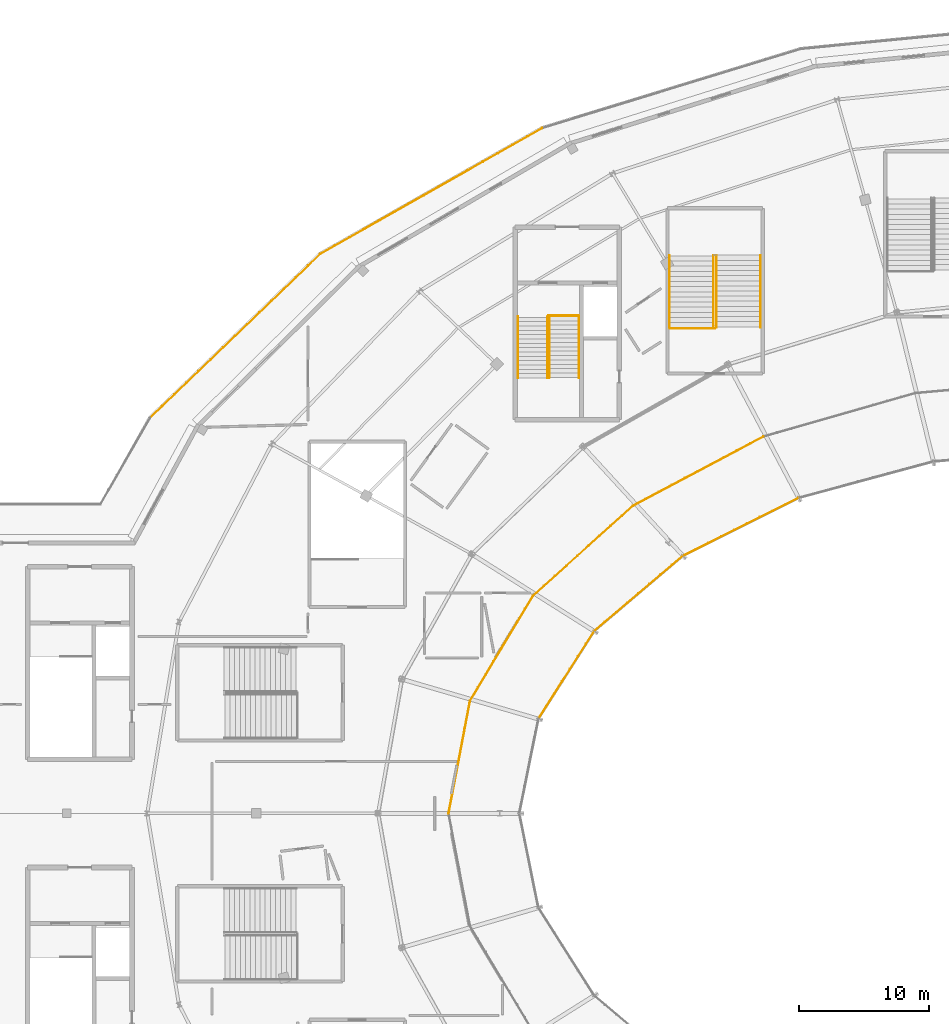
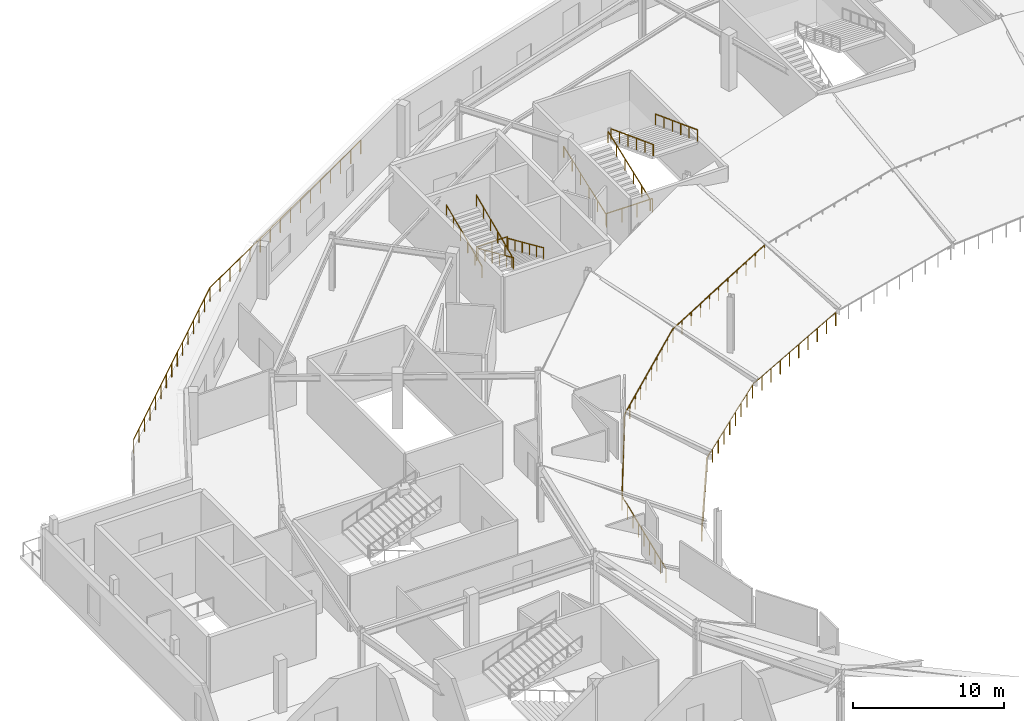
# One storey, part 54 of 63: 19 railings.
"""IFC4 building model written with IfcOpenShell, lengths in metres."""

from ifc_helpers import new_model, si_unit, direction, frame, origin, origin_2d, place, context, subcontext, project, spatial, circle, extrude, material, type_object, element, save


model = new_model("IFC4")

# Units and contexts
model_context = context("Model", 3, precision=1e-05, world=origin(), true_north=direction((0.0, 1.0)))
body_context = subcontext(model_context, "Body", "Model", "MODEL_VIEW")
ifc_project = project(units=[si_unit("LENGTHUNIT", "METRE"), si_unit("AREAUNIT", "SQUARE_METRE"), si_unit("VOLUMEUNIT", "CUBIC_METRE"), si_unit("PLANEANGLEUNIT", "RADIAN"), si_unit("MASSUNIT", "GRAM", prefix="KILO")], contexts=[model_context])

# Site, building, storey
site_placement = place(None, origin())
site = spatial("IfcSite", under=ifc_project, at=site_placement, CompositionType="ELEMENT")
building_placement = place(site_placement, origin())
building = spatial("IfcBuilding", under=site, at=building_placement, Name="Kalgoora Escarpment Arena", CompositionType="ELEMENT")
storey_placement = place(building_placement, frame((0.0, 0.0, 14.39990234375)))
storey = spatial("IfcBuildingStorey", under=building, at=storey_placement, Name="L03", CompositionType="ELEMENT", Elevation=14.39990234375)

# Railings
ifc_material_1 = material(Name="Galvanised & powdercoated tubular steel", Category="steel")
railing_type_1 = type_object("IfcRailingType", Name="RAL-GUARD-1120", PredefinedType="GUARDRAIL", material=ifc_material_1)
railing_1_placement = place(storey_placement, frame((53.889892578125, 102.389892578125, 0.0)))
element("IfcRailing", 1, at=railing_1_placement, inside=storey, type_object=railing_type_1, Name="ST03 L03 floor landing well guard", PredefinedType="GUARDRAIL", context=body_context, shape_type="SweptSolid", body=[
    extrude(circle(Radius=0.02392578125, at=origin_2d()), frame((0.0, 0.0, 1.09619140625), z_axis=(-1.0, 0.0, 0.0), x_axis=(0.0, -1.0, 0.0)), (0.0, 0.0, 1.0), 2.33984375),
    extrude(circle(Radius=0.02099609375, at=origin_2d()), origin(), (0.0, 0.0, 1.0), 1.072021484375),
    extrude(circle(Radius=0.02099609375, at=origin_2d()), frame((-1.169921875, 0.0, 0.0)), (0.0, 0.0, 1.0), 1.072021484375),
    extrude(circle(Radius=0.02099609375, at=origin_2d()), frame((-2.33984375, 0.0, 0.0)), (0.0, 0.0, 1.0), 1.072021484375),
])
railing_2_placement = place(storey_placement, frame((60.909912109375, 101.409912109375, 0.0)))
element("IfcRailing", 2, at=railing_2_placement, inside=storey, type_object=railing_type_1, Name="ST09 L03 floor landing well guard", PredefinedType="GUARDRAIL", context=body_context, shape_type="SweptSolid", body=[
    extrude(circle(Radius=0.02392578125, at=origin_2d()), frame((0.0, 0.0, 1.09619140625), z_axis=(1.0, 0.0, 0.0), x_axis=(0.0, 1.0, 0.0)), (0.0, 0.0, 1.0), 3.489990234375),
    extrude(circle(Radius=0.02099609375, at=origin_2d()), origin(), (0.0, 0.0, 1.0), 1.072021484375),
    extrude(circle(Radius=0.02099609375, at=origin_2d()), frame((1.163330078125, 0.0, 0.0)), (0.0, 0.0, 1.0), 1.072021484375),
    extrude(circle(Radius=0.02099609375, at=origin_2d()), frame((2.32666015625, 0.0, 0.0)), (0.0, 0.0, 1.0), 1.072021484375),
    extrude(circle(Radius=0.02099609375, at=origin_2d()), frame((3.489990234375, 0.0, 0.0)), (0.0, 0.0, 1.0), 1.072021484375),
])
railing_3_placement = place(storey_placement, frame((68.125, 93.05517578125, 0.0)))
element("IfcRailing", 3, at=railing_3_placement, inside=storey, type_object=railing_type_1, Name="L03 concourse bowl balustrade 09", PredefinedType="GUARDRAIL", context=body_context, shape_type="SweptSolid", body=[
    extrude(circle(Radius=0.02392578125, at=origin_2d()), frame((0.0, 0.0, 1.09619140625), z_axis=(-0.883475688989, -0.468477007936, 0.0), x_axis=(0.468477007936, -0.883475688989, 0.0)), (0.0, 0.0, 1.0), 11.381103515625),
    extrude(circle(Radius=0.02099609375, at=origin_2d()), origin(), (0.0, 0.0, 1.0), 1.072021484375),
    extrude(circle(Radius=0.02099609375, at=origin_2d()), frame((-1.00537109375, -0.533203125, 0.0)), (0.0, 0.0, 1.0), 1.072021484375),
    extrude(circle(Radius=0.02099609375, at=origin_2d()), frame((-2.010986328125, -1.06640625, 0.0)), (0.0, 0.0, 1.0), 1.072021484375),
    extrude(circle(Radius=0.02099609375, at=origin_2d()), frame((-3.0166015625, -1.599609375, 0.0)), (0.0, 0.0, 1.0), 1.072021484375),
    extrude(circle(Radius=0.02099609375, at=origin_2d()), frame((-4.02197265625, -2.1328125, 0.0)), (0.0, 0.0, 1.0), 1.072021484375),
    extrude(circle(Radius=0.02099609375, at=origin_2d()), frame((-5.02734375, -2.666015625, 0.0)), (0.0, 0.0, 1.0), 1.072021484375),
    extrude(circle(Radius=0.02099609375, at=origin_2d()), frame((-6.032958984375, -3.198974609375, 0.0)), (0.0, 0.0, 1.0), 1.072021484375),
    extrude(circle(Radius=0.02099609375, at=origin_2d()), frame((-7.038330078125, -3.732177734375, 0.0)), (0.0, 0.0, 1.0), 1.072021484375),
    extrude(circle(Radius=0.02099609375, at=origin_2d()), frame((-8.0439453125, -4.265380859375, 0.0)), (0.0, 0.0, 1.0), 1.072021484375),
    extrude(circle(Radius=0.02099609375, at=origin_2d()), frame((-9.04931640625, -4.798583984375, 0.0)), (0.0, 0.0, 1.0), 1.072021484375),
    extrude(circle(Radius=0.02099609375, at=origin_2d()), frame((-10.054931640625, -5.331787109375, 0.0)), (0.0, 0.0, 1.0), 1.072021484375),
])
railing_4_placement = place(storey_placement, frame((58.070068359375, 87.723388671875, 0.0)))
element("IfcRailing", 4, at=railing_4_placement, inside=storey, type_object=railing_type_1, Name="L03 concourse bowl balustrade 10", PredefinedType="GUARDRAIL", context=body_context, shape_type="SweptSolid", body=[
    extrude(circle(Radius=0.02392578125, at=origin_2d()), frame((0.0, 0.0, 1.09619140625), z_axis=(-0.743080153263, -0.66920242515, 0.0), x_axis=(0.66920242515, -0.743080153263, 0.0)), (0.0, 0.0, 1.0), 10.38330078125),
    extrude(circle(Radius=0.02099609375, at=origin_2d()), origin(), (0.0, 0.0, 1.0), 1.072021484375),
    extrude(circle(Radius=0.02099609375, at=origin_2d()), frame((-0.857177734375, -0.77197265625, 0.0)), (0.0, 0.0, 1.0), 1.072021484375),
    extrude(circle(Radius=0.02099609375, at=origin_2d()), frame((-1.714599609375, -1.544189453125, 0.0)), (0.0, 0.0, 1.0), 1.072021484375),
    extrude(circle(Radius=0.02099609375, at=origin_2d()), frame((-2.57177734375, -2.316162109375, 0.0)), (0.0, 0.0, 1.0), 1.072021484375),
    extrude(circle(Radius=0.02099609375, at=origin_2d()), frame((-3.42919921875, -3.088134765625, 0.0)), (0.0, 0.0, 1.0), 1.072021484375),
    extrude(circle(Radius=0.02099609375, at=origin_2d()), frame((-4.286376953125, -3.8603515625, 0.0)), (0.0, 0.0, 1.0), 1.072021484375),
    extrude(circle(Radius=0.02099609375, at=origin_2d()), frame((-5.143798828125, -4.63232421875, 0.0)), (0.0, 0.0, 1.0), 1.072021484375),
    extrude(circle(Radius=0.02099609375, at=origin_2d()), frame((-6.0009765625, -5.404296875, 0.0)), (0.0, 0.0, 1.0), 1.072021484375),
    extrude(circle(Radius=0.02099609375, at=origin_2d()), frame((-6.8583984375, -6.176513671875, 0.0)), (0.0, 0.0, 1.0), 1.072021484375),
    extrude(circle(Radius=0.02099609375, at=origin_2d()), frame((-7.715576171875, -6.948486328125, 0.0)), (0.0, 0.0, 1.0), 1.072021484375),
])
railing_5_placement = place(storey_placement, frame((50.3544921875, 80.77490234375, 0.0)))
element("IfcRailing", 5, at=railing_5_placement, inside=storey, type_object=railing_type_1, Name="L03 concourse bowl balustrade 11", PredefinedType="GUARDRAIL", context=body_context, shape_type="SweptSolid", body=[
    extrude(circle(Radius=0.02392578125, at=origin_2d()), frame((0.0, 0.0, 1.09619140625), z_axis=(-0.514118933044, -0.857718906569, 0.0), x_axis=(0.857718906569, -0.514118933044, 0.0)), (0.0, 0.0, 1.0), 9.433837890625),
    extrude(circle(Radius=0.02099609375, at=origin_2d()), origin(), (0.0, 0.0, 1.0), 1.072021484375),
    extrude(circle(Radius=0.02099609375, at=origin_2d()), frame((-0.606201171875, -1.011474609375, 0.0)), (0.0, 0.0, 1.0), 1.072021484375),
    extrude(circle(Radius=0.02099609375, at=origin_2d()), frame((-1.21240234375, -2.02294921875, 0.0)), (0.0, 0.0, 1.0), 1.072021484375),
    extrude(circle(Radius=0.02099609375, at=origin_2d()), frame((-1.81884765625, -3.034423828125, 0.0)), (0.0, 0.0, 1.0), 1.072021484375),
    extrude(circle(Radius=0.02099609375, at=origin_2d()), frame((-2.425048828125, -4.0458984375, 0.0)), (0.0, 0.0, 1.0), 1.072021484375),
    extrude(circle(Radius=0.02099609375, at=origin_2d()), frame((-3.03125, -5.05712890625, 0.0)), (0.0, 0.0, 1.0), 1.072021484375),
    extrude(circle(Radius=0.02099609375, at=origin_2d()), frame((-3.6376953125, -6.068603515625, 0.0)), (0.0, 0.0, 1.0), 1.072021484375),
    extrude(circle(Radius=0.02099609375, at=origin_2d()), frame((-4.243896484375, -7.080078125, 0.0)), (0.0, 0.0, 1.0), 1.072021484375),
    extrude(circle(Radius=0.02099609375, at=origin_2d()), frame((-4.85009765625, -8.091552734375, 0.0)), (0.0, 0.0, 1.0), 1.072021484375),
])
railing_6_placement = place(storey_placement, frame((45.50439453125, 72.683349609375, 0.0)))
element("IfcRailing", 6, at=railing_6_placement, inside=storey, type_object=railing_type_1, Name="L03 concourse bowl balustrade 12", PredefinedType="GUARDRAIL", context=body_context, shape_type="SweptSolid", body=[
    extrude(circle(Radius=0.02392578125, at=origin_2d()), frame((0.0, 0.0, 1.09619140625), z_axis=(-0.187147644058, -0.982331796962, 0.0), x_axis=(0.982331796962, -0.187147644058, 0.0)), (0.0, 0.0, 1.0), 8.839599609375),
    extrude(circle(Radius=0.02099609375, at=origin_2d()), origin(), (0.0, 0.0, 1.0), 1.072021484375),
    extrude(circle(Radius=0.02099609375, at=origin_2d()), frame((-0.206787109375, -1.08544921875, 0.0)), (0.0, 0.0, 1.0), 1.072021484375),
    extrude(circle(Radius=0.02099609375, at=origin_2d()), frame((-0.41357421875, -2.1708984375, 0.0)), (0.0, 0.0, 1.0), 1.072021484375),
    extrude(circle(Radius=0.02099609375, at=origin_2d()), frame((-0.620361328125, -3.25634765625, 0.0)), (0.0, 0.0, 1.0), 1.072021484375),
    extrude(circle(Radius=0.02099609375, at=origin_2d()), frame((-0.8271484375, -4.341796875, 0.0)), (0.0, 0.0, 1.0), 1.072021484375),
    extrude(circle(Radius=0.02099609375, at=origin_2d()), frame((-1.033935546875, -5.427001953125, 0.0)), (0.0, 0.0, 1.0), 1.072021484375),
    extrude(circle(Radius=0.02099609375, at=origin_2d()), frame((-1.24072265625, -6.512451171875, 0.0)), (0.0, 0.0, 1.0), 1.072021484375),
    extrude(circle(Radius=0.02099609375, at=origin_2d()), frame((-1.447509765625, -7.597900390625, 0.0)), (0.0, 0.0, 1.0), 1.072021484375),
    extrude(circle(Radius=0.02099609375, at=origin_2d()), frame((-1.654296875, -8.683349609375, 0.0)), (0.0, 0.0, 1.0), 1.072021484375),
])
railing_7_placement = place(storey_placement, frame((70.85009765625, 88.335205078125, -3.5)))
element("IfcRailing", 7, at=railing_7_placement, inside=storey, type_object=railing_type_1, Name="Upper tier cantilevered front guard 09", PredefinedType="GUARDRAIL", context=body_context, shape_type="SweptSolid", body=[
    extrude(circle(Radius=0.02392578125, at=origin_2d()), frame((0.0, 0.0, 1.09619140625), z_axis=(-0.894334223345, -0.447399482515, 0.0), x_axis=(0.447399482515, -0.894334223345, 0.0)), (0.0, 0.0, 1.0), 9.981201171875),
    extrude(circle(Radius=0.02099609375, at=origin_2d()), origin(), (0.0, 0.0, 1.0), 1.072021484375),
    extrude(circle(Radius=0.02099609375, at=origin_2d()), frame((-0.991943359375, -0.49609375, 0.0)), (0.0, 0.0, 1.0), 1.072021484375),
    extrude(circle(Radius=0.02099609375, at=origin_2d()), frame((-1.983642578125, -0.992431640625, 0.0)), (0.0, 0.0, 1.0), 1.072021484375),
    extrude(circle(Radius=0.02099609375, at=origin_2d()), frame((-2.9755859375, -1.488525390625, 0.0)), (0.0, 0.0, 1.0), 1.072021484375),
    extrude(circle(Radius=0.02099609375, at=origin_2d()), frame((-3.96728515625, -1.984619140625, 0.0)), (0.0, 0.0, 1.0), 1.072021484375),
    extrude(circle(Radius=0.02099609375, at=origin_2d()), frame((-4.959228515625, -2.48095703125, 0.0)), (0.0, 0.0, 1.0), 1.072021484375),
    extrude(circle(Radius=0.02099609375, at=origin_2d()), frame((-5.950927734375, -2.97705078125, 0.0)), (0.0, 0.0, 1.0), 1.072021484375),
    extrude(circle(Radius=0.02099609375, at=origin_2d()), frame((-6.94287109375, -3.47314453125, 0.0)), (0.0, 0.0, 1.0), 1.072021484375),
    extrude(circle(Radius=0.02099609375, at=origin_2d()), frame((-7.9345703125, -3.969482421875, 0.0)), (0.0, 0.0, 1.0), 1.072021484375),
    extrude(circle(Radius=0.02099609375, at=origin_2d()), frame((-8.926513671875, -4.465576171875, 0.0)), (0.0, 0.0, 1.0), 1.072021484375),
])
railing_8_placement = place(storey_placement, frame((61.923583984375, 83.86962890625, -3.5)))
element("IfcRailing", 8, at=railing_8_placement, inside=storey, type_object=railing_type_1, Name="Upper tier cantilevered front guard 10", PredefinedType="GUARDRAIL", context=body_context, shape_type="SweptSolid", body=[
    extrude(circle(Radius=0.02392578125, at=origin_2d()), frame((0.0, 0.0, 1.09619140625), z_axis=(-0.762069994215, -0.647494651652, 0.0), x_axis=(0.647494651652, -0.762069994215, 0.0)), (0.0, 0.0, 1.0), 8.98779296875),
    extrude(circle(Radius=0.02099609375, at=origin_2d()), origin(), (0.0, 0.0, 1.0), 1.072021484375),
    extrude(circle(Radius=0.02099609375, at=origin_2d()), frame((-0.856201171875, -0.7275390625, 0.0)), (0.0, 0.0, 1.0), 1.072021484375),
    extrude(circle(Radius=0.02099609375, at=origin_2d()), frame((-1.71240234375, -1.454833984375, 0.0)), (0.0, 0.0, 1.0), 1.072021484375),
    extrude(circle(Radius=0.02099609375, at=origin_2d()), frame((-2.568603515625, -2.182373046875, 0.0)), (0.0, 0.0, 1.0), 1.072021484375),
    extrude(circle(Radius=0.02099609375, at=origin_2d()), frame((-3.4248046875, -2.90966796875, 0.0)), (0.0, 0.0, 1.0), 1.072021484375),
    extrude(circle(Radius=0.02099609375, at=origin_2d()), frame((-4.28076171875, -3.63720703125, 0.0)), (0.0, 0.0, 1.0), 1.072021484375),
    extrude(circle(Radius=0.02099609375, at=origin_2d()), frame((-5.136962890625, -4.36474609375, 0.0)), (0.0, 0.0, 1.0), 1.072021484375),
    extrude(circle(Radius=0.02099609375, at=origin_2d()), frame((-5.9931640625, -5.092041015625, 0.0)), (0.0, 0.0, 1.0), 1.072021484375),
    extrude(circle(Radius=0.02099609375, at=origin_2d()), frame((-6.849365234375, -5.819580078125, 0.0)), (0.0, 0.0, 1.0), 1.072021484375),
])
railing_9_placement = place(storey_placement, frame((55.07421875, 78.050048828125, -3.5)))
element("IfcRailing", 9, at=railing_9_placement, inside=storey, type_object=railing_type_1, Name="Upper tier cantilevered front guard 11", PredefinedType="GUARDRAIL", context=body_context, shape_type="SweptSolid", body=[
    extrude(circle(Radius=0.02392578125, at=origin_2d()), frame((0.0, 0.0, 1.09619140625), z_axis=(-0.536237888863, -0.844066896963, 0.0), x_axis=(0.844066896963, -0.536237888863, 0.0)), (0.0, 0.0, 1.0), 8.029296875),
    extrude(circle(Radius=0.02099609375, at=origin_2d()), origin(), (0.0, 0.0, 1.0), 1.072021484375),
    extrude(circle(Radius=0.02099609375, at=origin_2d()), frame((-0.614990234375, -0.96826171875, 0.0)), (0.0, 0.0, 1.0), 1.072021484375),
    extrude(circle(Radius=0.02099609375, at=origin_2d()), frame((-1.230224609375, -1.936279296875, 0.0)), (0.0, 0.0, 1.0), 1.072021484375),
    extrude(circle(Radius=0.02099609375, at=origin_2d()), frame((-1.84521484375, -2.904541015625, 0.0)), (0.0, 0.0, 1.0), 1.072021484375),
    extrude(circle(Radius=0.02099609375, at=origin_2d()), frame((-2.46044921875, -3.872802734375, 0.0)), (0.0, 0.0, 1.0), 1.072021484375),
    extrude(circle(Radius=0.02099609375, at=origin_2d()), frame((-3.075439453125, -4.841064453125, 0.0)), (0.0, 0.0, 1.0), 1.072021484375),
    extrude(circle(Radius=0.02099609375, at=origin_2d()), frame((-3.690673828125, -5.80908203125, 0.0)), (0.0, 0.0, 1.0), 1.072021484375),
    extrude(circle(Radius=0.02099609375, at=origin_2d()), frame((-4.3056640625, -6.77734375, 0.0)), (0.0, 0.0, 1.0), 1.072021484375),
])
ifc_material_2 = material(Name="Brushed stainless steel 316 handrail", Category="steel")
railing_type_2 = type_object("IfcRailingType", Name="RAL-HAND-920", PredefinedType="HANDRAIL", material=ifc_material_2)
for number, where, name in (
    (10, (53.89990234375, 102.31005859375, 0.110107421875), "ST03 L03 pitched stair handrail F1L"),
    (11, (51.610107421875, 102.31005859375, 0.110107421875), "ST03 L03 pitched stair handrail F1R"),
):
    element("IfcRailing", number, at=place(storey_placement, frame(where)), inside=storey, type_object=railing_type_2, Name=name, PredefinedType="HANDRAIL", context=body_context, shape_type="SweptSolid", body=[
        extrude(circle(Radius=0.02392578125, at=origin_2d()), frame((0.0, 0.0, 0.89599609375), z_axis=(0.0, -0.913643874524, 0.406515523129), x_axis=(1.0, 0.0, 0.0)), (0.0, 0.0, 1.0), 5.166015625),
        extrude(circle(Radius=0.02099609375, at=origin_2d()), origin(), (0.0, 0.0, 1.0), 0.871826171875),
        extrude(circle(Radius=0.02099609375, at=origin_2d()), frame((0.0, -0.944091796875, 0.419921875)), (0.0, 0.0, 1.0), 0.871826171875),
        extrude(circle(Radius=0.02099609375, at=origin_2d()), frame((0.0, -1.887939453125, 0.840087890625)), (0.0, 0.0, 1.0), 0.871826171875),
        extrude(circle(Radius=0.02099609375, at=origin_2d()), frame((0.0, -2.83203125, 1.260009765625)), (0.0, 0.0, 1.0), 0.871826171875),
        extrude(circle(Radius=0.02099609375, at=origin_2d()), frame((0.0, -3.77587890625, 1.68017578125)), (0.0, 0.0, 1.0), 0.871826171875),
        extrude(circle(Radius=0.02099609375, at=origin_2d()), frame((0.0, -4.719970703125, 2.10009765625)), (0.0, 0.0, 1.0), 0.871826171875),
    ])
for number, where, name in (
    (12, (51.489990234375, 97.590087890625, 2.360107421875), "ST03 L03 pitched stair handrail F2L"),
    (13, (49.199951171875, 97.590087890625, 2.360107421875), "ST03 L03 pitched stair handrail F2R"),
):
    element("IfcRailing", number, at=place(storey_placement, frame(where)), inside=storey, type_object=railing_type_2, Name=name, PredefinedType="HANDRAIL", context=body_context, shape_type="SweptSolid", body=[
        extrude(circle(Radius=0.02392578125, at=origin_2d()), frame((0.0, 0.0, 0.89599609375), z_axis=(0.0, 0.913643874524, 0.406515523129), x_axis=(-1.0, 0.0, 0.0)), (0.0, 0.0, 1.0), 5.166015625),
        extrude(circle(Radius=0.02099609375, at=origin_2d()), origin(), (0.0, 0.0, 1.0), 0.871826171875),
        extrude(circle(Radius=0.02099609375, at=origin_2d()), frame((0.0, 0.944091796875, 0.419921875)), (0.0, 0.0, 1.0), 0.871826171875),
        extrude(circle(Radius=0.02099609375, at=origin_2d()), frame((0.0, 1.887939453125, 0.840087890625)), (0.0, 0.0, 1.0), 0.871826171875),
        extrude(circle(Radius=0.02099609375, at=origin_2d()), frame((0.0, 2.83203125, 1.260009765625)), (0.0, 0.0, 1.0), 0.871826171875),
        extrude(circle(Radius=0.02099609375, at=origin_2d()), frame((0.0, 3.77587890625, 1.68017578125)), (0.0, 0.0, 1.0), 0.871826171875),
        extrude(circle(Radius=0.02099609375, at=origin_2d()), frame((0.0, 4.719970703125, 2.10009765625)), (0.0, 0.0, 1.0), 0.871826171875),
    ])
for number, where, name in (
    (14, (60.89990234375, 101.489990234375, 0.110107421875), "ST09 L03 pitched stair handrail F1L"),
    (15, (64.284912109375, 101.489990234375, 0.110107421875), "ST09 L03 pitched stair handrail F1R"),
):
    element("IfcRailing", number, at=place(storey_placement, frame(where)), inside=storey, type_object=railing_type_2, Name=name, PredefinedType="HANDRAIL", context=body_context, shape_type="SweptSolid", body=[
        extrude(circle(Radius=0.02392578125, at=origin_2d()), frame((0.0, 0.0, 0.89599609375), z_axis=(0.0, 0.935492612948, 0.353346248203), x_axis=(-1.0, 0.0, 0.0)), (0.0, 0.0, 1.0), 5.943359375),
        extrude(circle(Radius=0.02099609375, at=origin_2d()), origin(), (0.0, 0.0, 1.0), 0.871826171875),
        extrude(circle(Radius=0.02099609375, at=origin_2d()), frame((0.0, 1.112060546875, 0.419921875)), (0.0, 0.0, 1.0), 0.871826171875),
        extrude(circle(Radius=0.02099609375, at=origin_2d()), frame((0.0, 2.22412109375, 0.840087890625)), (0.0, 0.0, 1.0), 0.871826171875),
        extrude(circle(Radius=0.02099609375, at=origin_2d()), frame((0.0, 3.3359375, 1.260009765625)), (0.0, 0.0, 1.0), 0.871826171875),
        extrude(circle(Radius=0.02099609375, at=origin_2d()), frame((0.0, 4.447998046875, 1.68017578125)), (0.0, 0.0, 1.0), 0.871826171875),
        extrude(circle(Radius=0.02099609375, at=origin_2d()), frame((0.0, 5.56005859375, 2.10009765625)), (0.0, 0.0, 1.0), 0.871826171875),
    ])
for number, where, name in (
    (16, (64.514892578125, 107.050048828125, 2.360107421875), "ST09 L03 pitched stair handrail F2L"),
    (17, (67.89990234375, 107.050048828125, 2.360107421875), "ST09 L03 pitched stair handrail F2R"),
):
    element("IfcRailing", number, at=place(storey_placement, frame(where)), inside=storey, type_object=railing_type_2, Name=name, PredefinedType="HANDRAIL", context=body_context, shape_type="SweptSolid", body=[
        extrude(circle(Radius=0.02392578125, at=origin_2d()), frame((0.0, 0.0, 0.89599609375), z_axis=(0.0, -0.935492612948, 0.353346248203), x_axis=(1.0, 0.0, 0.0)), (0.0, 0.0, 1.0), 5.943359375),
        extrude(circle(Radius=0.02099609375, at=origin_2d()), origin(), (0.0, 0.0, 1.0), 0.871826171875),
        extrude(circle(Radius=0.02099609375, at=origin_2d()), frame((0.0, -1.112060546875, 0.419921875)), (0.0, 0.0, 1.0), 0.871826171875),
        extrude(circle(Radius=0.02099609375, at=origin_2d()), frame((0.0, -2.22412109375, 0.840087890625)), (0.0, 0.0, 1.0), 0.871826171875),
        extrude(circle(Radius=0.02099609375, at=origin_2d()), frame((0.0, -3.3359375, 1.260009765625)), (0.0, 0.0, 1.0), 0.871826171875),
        extrude(circle(Radius=0.02099609375, at=origin_2d()), frame((0.0, -4.447998046875, 1.68017578125)), (0.0, 0.0, 1.0), 0.871826171875),
        extrude(circle(Radius=0.02099609375, at=origin_2d()), frame((0.0, -5.56005859375, 2.10009765625)), (0.0, 0.0, 1.0), 0.871826171875),
    ])
ifc_material_3 = material(Name="Champagne anodised aluminium & laminated glass", Category="aluminium")
railing_type_3 = type_object("IfcRailingType", Name="RAL-TERR-1100", PredefinedType="GUARDRAIL", material=ifc_material_3)
railing_10_placement = place(storey_placement, frame((20.821044921875, 94.501220703125, 0.0)))
element("IfcRailing", 18, at=railing_10_placement, inside=storey, type_object=railing_type_3, Name="Upper Planted Elliptical Garden Terrace perimeter guardrail 013", PredefinedType="GUARDRAIL", context=body_context, shape_type="SweptSolid", body=[
    extrude(circle(Radius=0.02392578125, at=origin_2d()), frame((0.0, 0.0, 1.09619140625), z_axis=(0.720217088621, 0.693748762347, 0.0), x_axis=(-0.693748762347, 0.720217088621, 0.0)), (0.0, 0.0, 1.0), 18.226318359375),
    extrude(circle(Radius=0.02099609375, at=origin_2d()), origin(), (0.0, 0.0, 1.0), 1.072021484375),
    extrude(circle(Radius=0.02099609375, at=origin_2d()), frame((0.937744140625, 0.903076171875, 0.0)), (0.0, 0.0, 1.0), 1.072021484375),
    extrude(circle(Radius=0.02099609375, at=origin_2d()), frame((1.875244140625, 1.806396484375, 0.0)), (0.0, 0.0, 1.0), 1.072021484375),
    extrude(circle(Radius=0.02099609375, at=origin_2d()), frame((2.81298828125, 2.70947265625, 0.0)), (0.0, 0.0, 1.0), 1.072021484375),
    extrude(circle(Radius=0.02099609375, at=origin_2d()), frame((3.75048828125, 3.61279296875, 0.0)), (0.0, 0.0, 1.0), 1.072021484375),
    extrude(circle(Radius=0.02099609375, at=origin_2d()), frame((4.688232421875, 4.515869140625, 0.0)), (0.0, 0.0, 1.0), 1.072021484375),
    extrude(circle(Radius=0.02099609375, at=origin_2d()), frame((5.625732421875, 5.419189453125, 0.0)), (0.0, 0.0, 1.0), 1.072021484375),
    extrude(circle(Radius=0.02099609375, at=origin_2d()), frame((6.5634765625, 6.322265625, 0.0)), (0.0, 0.0, 1.0), 1.072021484375),
    extrude(circle(Radius=0.02099609375, at=origin_2d()), frame((7.501220703125, 7.225341796875, 0.0)), (0.0, 0.0, 1.0), 1.072021484375),
    extrude(circle(Radius=0.02099609375, at=origin_2d()), frame((8.438720703125, 8.128662109375, 0.0)), (0.0, 0.0, 1.0), 1.072021484375),
    extrude(circle(Radius=0.02099609375, at=origin_2d()), frame((9.37646484375, 9.03173828125, 0.0)), (0.0, 0.0, 1.0), 1.072021484375),
    extrude(circle(Radius=0.02099609375, at=origin_2d()), frame((10.31396484375, 9.93505859375, 0.0)), (0.0, 0.0, 1.0), 1.072021484375),
    extrude(circle(Radius=0.02099609375, at=origin_2d()), frame((11.251708984375, 10.838134765625, 0.0)), (0.0, 0.0, 1.0), 1.072021484375),
    extrude(circle(Radius=0.02099609375, at=origin_2d()), frame((12.189208984375, 11.741455078125, 0.0)), (0.0, 0.0, 1.0), 1.072021484375),
    extrude(circle(Radius=0.02099609375, at=origin_2d()), frame((13.126953125, 12.64453125, 0.0)), (0.0, 0.0, 1.0), 1.072021484375),
])
railing_11_placement = place(storey_placement, frame((33.947998046875, 107.145751953125, 0.0)))
element("IfcRailing", 19, at=railing_11_placement, inside=storey, type_object=railing_type_3, Name="Upper Planted Elliptical Garden Terrace perimeter guardrail 014", PredefinedType="GUARDRAIL", context=body_context, shape_type="SweptSolid", body=[
    extrude(circle(Radius=0.02392578125, at=origin_2d()), frame((0.0, 0.0, 1.09619140625), z_axis=(0.869839760169, 0.493334360883, 0.0), x_axis=(-0.493334360883, 0.869839760169, 0.0)), (0.0, 0.0, 1.0), 19.6767578125),
    extrude(circle(Radius=0.02099609375, at=origin_2d()), origin(), (0.0, 0.0, 1.0), 1.072021484375),
    extrude(circle(Radius=0.02099609375, at=origin_2d()), frame((1.14111328125, 0.647216796875, 0.0)), (0.0, 0.0, 1.0), 1.072021484375),
    extrude(circle(Radius=0.02099609375, at=origin_2d()), frame((2.281982421875, 1.294189453125, 0.0)), (0.0, 0.0, 1.0), 1.072021484375),
    extrude(circle(Radius=0.02099609375, at=origin_2d()), frame((3.423095703125, 1.94140625, 0.0)), (0.0, 0.0, 1.0), 1.072021484375),
    extrude(circle(Radius=0.02099609375, at=origin_2d()), frame((4.564208984375, 2.588623046875, 0.0)), (0.0, 0.0, 1.0), 1.072021484375),
    extrude(circle(Radius=0.02099609375, at=origin_2d()), frame((5.705322265625, 3.23583984375, 0.0)), (0.0, 0.0, 1.0), 1.072021484375),
    extrude(circle(Radius=0.02099609375, at=origin_2d()), frame((6.84619140625, 3.8828125, 0.0)), (0.0, 0.0, 1.0), 1.072021484375),
    extrude(circle(Radius=0.02099609375, at=origin_2d()), frame((7.9873046875, 4.530029296875, 0.0)), (0.0, 0.0, 1.0), 1.072021484375),
    extrude(circle(Radius=0.02099609375, at=origin_2d()), frame((9.12841796875, 5.17724609375, 0.0)), (0.0, 0.0, 1.0), 1.072021484375),
    extrude(circle(Radius=0.02099609375, at=origin_2d()), frame((10.26953125, 5.824462890625, 0.0)), (0.0, 0.0, 1.0), 1.072021484375),
    extrude(circle(Radius=0.02099609375, at=origin_2d()), frame((11.410400390625, 6.471435546875, 0.0)), (0.0, 0.0, 1.0), 1.072021484375),
    extrude(circle(Radius=0.02099609375, at=origin_2d()), frame((12.551513671875, 7.11865234375, 0.0)), (0.0, 0.0, 1.0), 1.072021484375),
    extrude(circle(Radius=0.02099609375, at=origin_2d()), frame((13.692626953125, 7.765869140625, 0.0)), (0.0, 0.0, 1.0), 1.072021484375),
    extrude(circle(Radius=0.02099609375, at=origin_2d()), frame((14.833740234375, 8.4130859375, 0.0)), (0.0, 0.0, 1.0), 1.072021484375),
    extrude(circle(Radius=0.02099609375, at=origin_2d()), frame((15.974609375, 9.06005859375, 0.0)), (0.0, 0.0, 1.0), 1.072021484375),
    extrude(circle(Radius=0.02099609375, at=origin_2d()), frame((17.11572265625, 9.707275390625, 0.0)), (0.0, 0.0, 1.0), 1.072021484375),
])

save(model, "model.ifc")
